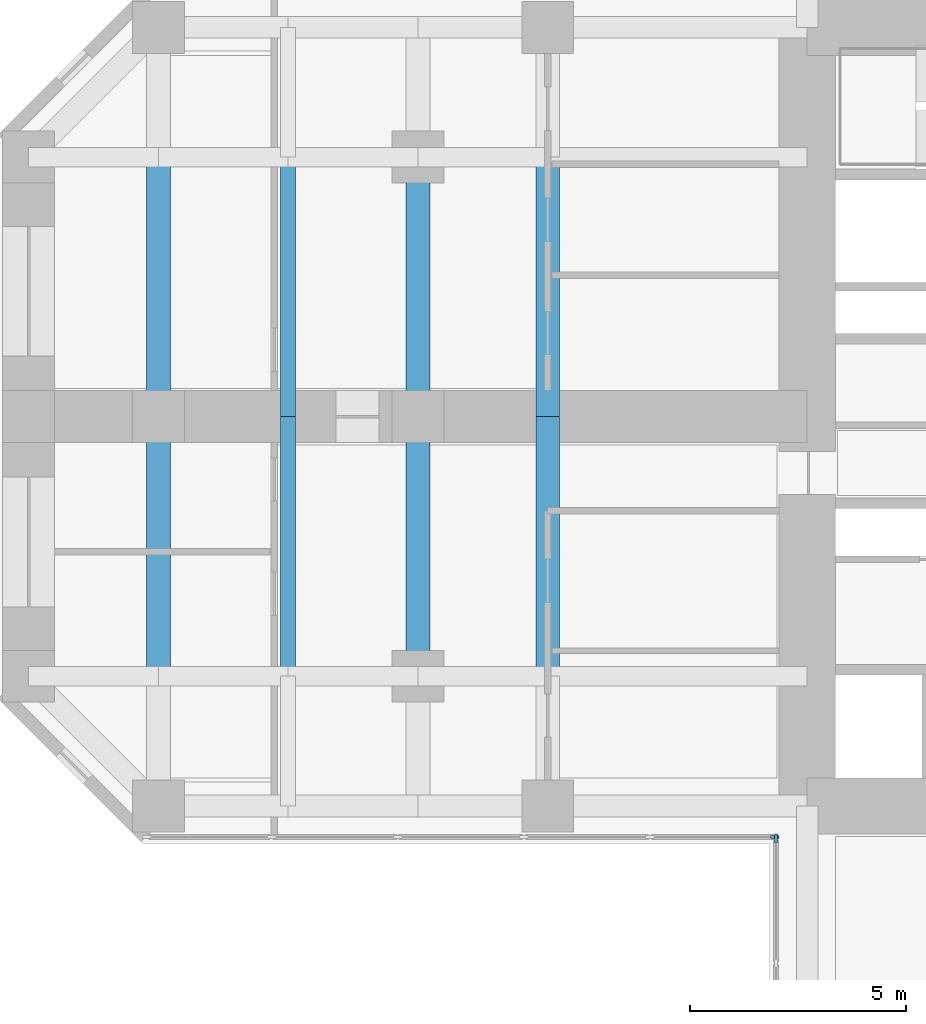
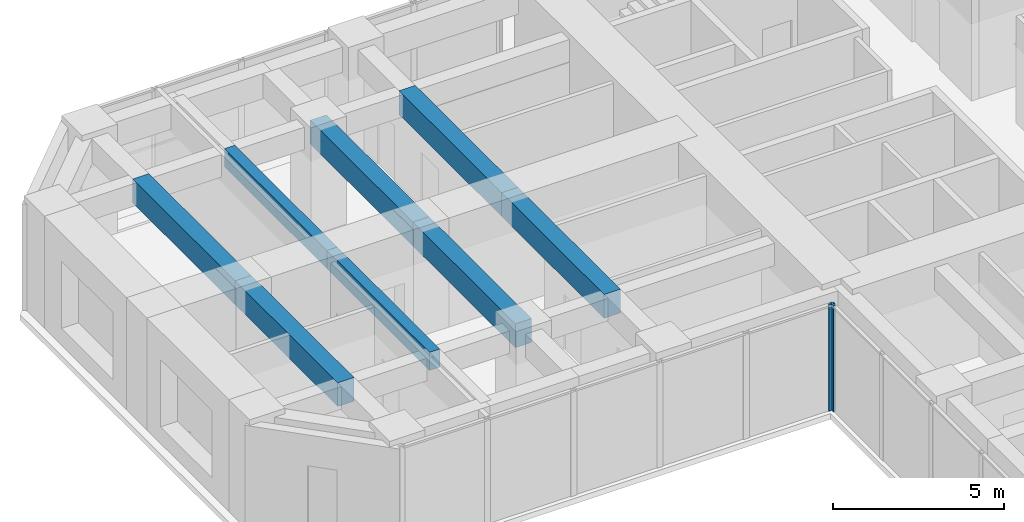
# One storey, part 3 of 13: 8 beams, 2 members, 2 elements without a shape of their own.
"""IFC4 building model written with IfcOpenShell, lengths in metres."""

from ifc_helpers import new_model, si_unit, direction, frame, origin, origin_2d, place, context, subcontext, project, spatial, rectangle, extrude, material, material_profile, profile_set, type_object, element, aggregate, save


model = new_model("IFC4")

# Units and contexts
model_context = context("Model", 3, precision=1e-05, world=origin(), true_north=direction((0.0, 1.0)))
body_context = subcontext(model_context, "Body", "Model", "MODEL_VIEW")
ifc_project = project(units=[si_unit("LENGTHUNIT", "METRE"), si_unit("AREAUNIT", "SQUARE_METRE"), si_unit("VOLUMEUNIT", "CUBIC_METRE"), si_unit("PLANEANGLEUNIT", "RADIAN"), si_unit("MASSUNIT", "GRAM", prefix="KILO")], contexts=[model_context])

# Site, building, storey
site_placement = place(None, origin())
site = spatial("IfcSite", under=ifc_project, at=site_placement, CompositionType="ELEMENT")
building_placement = place(site_placement, origin())
building = spatial("IfcBuilding", under=site, at=building_placement, Name="Torre Cruceta", CompositionType="ELEMENT")
storey_placement = place(building_placement, frame((0.0, 0.0, 47.5)))
storey = spatial("IfcBuildingStorey", under=building, at=storey_placement, Name="L11", CompositionType="ELEMENT", Elevation=47.5)

# Beams
ifc_material_1 = material(Name="Concrete G60 (fck 60 MPa)", Category="concrete")
ifc_material_profile_1 = material_profile(ifc_material_1, rectangle(XDim=0.550048828125, YDim=0.85009765625, at=origin_2d()), Name="RC 550X850")
ifc_profile_set_1 = profile_set([ifc_material_profile_1], Name="Concrete G60 (fck 60 MPa)")
beam_type_1 = type_object("IfcBeamType", Name="CROSS BEAM RC 550X850", PredefinedType="BEAM", material=ifc_profile_set_1)
for number, where, z_axis, x_axis, name in (
    (1, (-15.0, 6.0, 3.375), (0.0, -1.0, 0.0), (1.0, 0.0, 0.0), "GB4 L11 W cross15 2"),
    (2, (-15.0, 0.0, 3.375), (0.0, -1.0, 0.0), (1.0, 0.0, 0.0), "GB4 L11 W cross15 3"),
    (3, (-18.0, 6.0, 3.375), (0.0, -1.0, 0.0), (1.0, 0.0, 0.0), "GB4 L11 W cross18 2"),
    (4, (-18.0, 0.0, 3.375), (0.0, -1.0, 0.0), (1.0, 0.0, 0.0), "GB4 L11 W cross18 3"),
    (5, (-24.0, 6.0, 3.375), (0.0, -1.0, 0.0), (1.0, 0.0, 0.0), "GB4 L11 W cross24 2"),
    (6, (-24.0, 0.0, 3.375), (0.0, -1.0, 0.0), (1.0, 0.0, 0.0), "GB4 L11 W cross24 3"),
):
    element("IfcBeam", number, at=place(storey_placement, frame(where, z_axis=z_axis, x_axis=x_axis)), inside=storey, type_object=beam_type_1, Name=name, PredefinedType="BEAM", context=body_context, shape_type="SweptSolid", body=[
        extrude(rectangle(XDim=0.550048828125, YDim=0.85009765625, at=origin_2d()), origin(), (0.0, 0.0, 1.0), 6.0),
    ])

# Curtain wall, member
ifc_material_2 = material(Name="Aluminium unitised curtain wall", Category="aluminium")
curtain_wall_type = type_object("IfcCurtainWallType", Name="CURTAIN WALL CW-A OFFICE LOW RISE", PredefinedType="USERDEFINED", material=ifc_material_2)
curtain_wall_1_placement = place(storey_placement, origin())
curtain_wall_1 = element("IfcCurtainWall", 7, at=curtain_wall_1_placement, inside=storey, type_object=curtain_wall_type, Name="CW-A L11 W side 14", ObjectType="UNITISED", PredefinedType="USERDEFINED")
ifc_material_3 = material(Name="Aluminium mullion", Category="aluminium")
ifc_material_profile_2 = material_profile(ifc_material_3, rectangle(XDim=0.06494140625, YDim=0.199951171875, at=origin_2d()), Name="AL 65X200")
ifc_profile_set_2 = profile_set([ifc_material_profile_2], Name="Aluminium mullion")
member_type = type_object("IfcMemberType", Name="CW-A MULLION 65X200", PredefinedType="MULLION", material=ifc_profile_set_2)
member_1_placement = place(storey_placement, frame((-9.75244140625, -9.719970703125, 0.0), z_axis=(0.0, 0.0, 1.0), x_axis=(0.0, 1.0, 0.0)))
member_1 = element("IfcMember", 8, at=member_1_placement, type_object=member_type, Name="CW-A mullion 6", PredefinedType="MULLION", context=body_context, shape_type="SweptSolid", body=[
    extrude(rectangle(XDim=0.06494140625, YDim=0.199951171875, at=origin_2d()), origin(), (0.0, 0.0, 1.0), 3.800048828125),
])
aggregate(curtain_wall_1, [member_1])

curtain_wall_2_placement = place(storey_placement, origin())
curtain_wall_2 = element("IfcCurtainWall", 9, at=curtain_wall_2_placement, inside=storey, type_object=curtain_wall_type, Name="CW-A L11 S side 15", ObjectType="UNITISED", PredefinedType="USERDEFINED")
member_2_placement = place(storey_placement, frame((-9.719970703125, -9.75244140625, 0.0), z_axis=(0.0, 0.0, 1.0), x_axis=(1.0, 0.0, 0.0)))
member_2 = element("IfcMember", 10, at=member_2_placement, type_object=member_type, Name="CW-A mullion 1", PredefinedType="MULLION", context=body_context, shape_type="SweptSolid", body=[
    extrude(rectangle(XDim=0.06494140625, YDim=0.199951171875, at=origin_2d()), origin(), (0.0, 0.0, 1.0), 3.800048828125),
])
aggregate(curtain_wall_2, [member_2])

# Beams
ifc_material_4 = material(Name="Concrete G60 (fck 60 MPa)", Category="concrete")
ifc_material_profile_3 = material_profile(ifc_material_4, rectangle(XDim=0.35009765625, YDim=0.64990234375, at=origin_2d()), Name="RC 350X650")
ifc_profile_set_3 = profile_set([ifc_material_profile_3], Name="Concrete G60 (fck 60 MPa)")
beam_type_2 = type_object("IfcBeamType", Name="SECONDARY BEAM RC 350X650", PredefinedType="JOIST", material=ifc_profile_set_3)
for number, where, z_axis, x_axis, name in (
    (11, (-21.0, 6.0, 3.47509765625), (0.0, -1.0, 0.0), (1.0, 0.0, 0.0), "JB3 L11 W sec21 2"),
    (12, (-21.0, 0.0, 3.47509765625), (0.0, -1.0, 0.0), (1.0, 0.0, 0.0), "JB3 L11 W sec21 3"),
):
    element("IfcBeam", number, at=place(storey_placement, frame(where, z_axis=z_axis, x_axis=x_axis)), inside=storey, type_object=beam_type_2, Name=name, PredefinedType="JOIST", context=body_context, shape_type="SweptSolid", body=[
        extrude(rectangle(XDim=0.35009765625, YDim=0.64990234375, at=origin_2d()), origin(), (0.0, 0.0, 1.0), 6.0),
    ])

save(model, "model.ifc")
